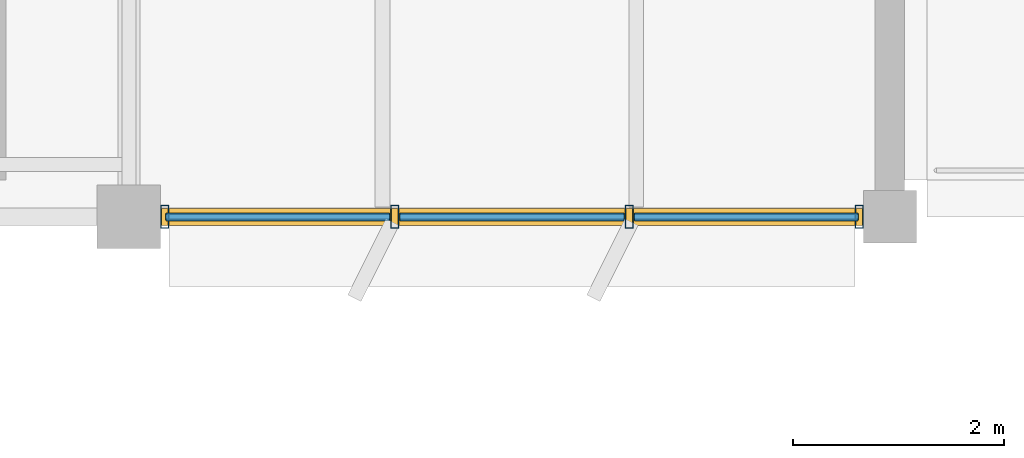
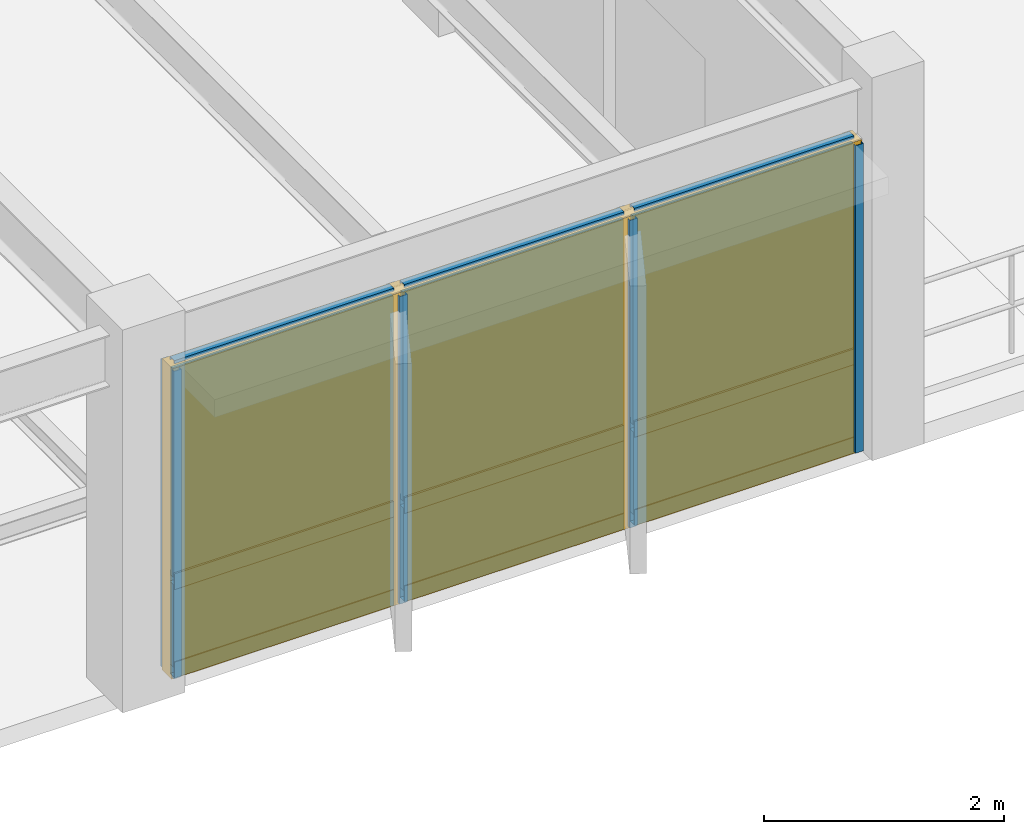
# One storey, part 21 of 35: 13 members, 6 plates, 1 curtain wall.
"""IFC4 building model written with IfcOpenShell, lengths in metres."""

from ifc_helpers import new_model, si_unit, direction, frame, origin, origin_2d, place, context, subcontext, project, spatial, rectangle, hollow_rectangle, extrude, material, layer, layer_set, material_profile, profile_set, type_object, element, aggregate, save


model = new_model("IFC4")

# Units and contexts
model_context = context("Model", 3, precision=1e-05, world=origin(), true_north=direction((0.0, 1.0)))
body_context = subcontext(model_context, "Body", "Model", "MODEL_VIEW")
ifc_project = project(units=[si_unit("LENGTHUNIT", "METRE"), si_unit("AREAUNIT", "SQUARE_METRE"), si_unit("VOLUMEUNIT", "CUBIC_METRE"), si_unit("PLANEANGLEUNIT", "RADIAN"), si_unit("MASSUNIT", "GRAM", prefix="KILO")], contexts=[model_context])

# Member
ifc_material_1 = material(Name="Anodized Aluminium 6063-T6", Category="aluminium")
ifc_material_profile_1 = material_profile(ifc_material_1, hollow_rectangle(XDim=0.074951171875, YDim=0.219970703125, WallThickness=0.0048828125, at=origin_2d()), Name="ALU 75x220x5")
ifc_profile_set_1 = profile_set([ifc_material_profile_1], Name="Anodized Aluminium 6063-T6")
member_type_1 = type_object("IfcMemberType", Name="CWM-75X180", PredefinedType="MULLION", material=ifc_profile_set_1)
site_placement = place(None, origin())
building_placement = place(site_placement, origin())
storey_placement = place(building_placement, frame((0.0, 0.0, 18.0)))
member_1_placement = place(storey_placement, frame((100.510009765625, 79.199951171875, 0.02001953125), z_axis=(0.0, 0.0, 1.0), x_axis=(1.0, 0.0, 0.0)))
member_1 = element("IfcMember", 1, at=member_1_placement, type_object=member_type_1, Name="Curtain wall mullion CW-L05-13-11-S-00", PredefinedType="MULLION", context=body_context, shape_type="SweptSolid", body=[
    extrude(hollow_rectangle(XDim=0.074951171875, YDim=0.219970703125, WallThickness=0.0048828125, at=origin_2d()), origin(), (0.0, 0.0, 1.0), 3.132080078125),
])

member_2_placement = place(storey_placement, frame((98.333251953125, 79.199951171875, 0.02001953125), z_axis=(0.0, 0.0, 1.0), x_axis=(1.0, 0.0, 0.0)))
member_2 = element("IfcMember", 2, at=member_2_placement, type_object=member_type_1, Name="Curtain wall mullion CW-L05-13-11-S-01", PredefinedType="MULLION", context=body_context, shape_type="SweptSolid", body=[
    extrude(hollow_rectangle(XDim=0.074951171875, YDim=0.219970703125, WallThickness=0.0048828125, at=origin_2d()), origin(), (0.0, 0.0, 1.0), 3.132080078125),
])

member_3_placement = place(storey_placement, frame((96.11669921875, 79.199951171875, 0.02001953125), z_axis=(0.0, 0.0, 1.0), x_axis=(1.0, 0.0, 0.0)))
member_3 = element("IfcMember", 3, at=member_3_placement, type_object=member_type_1, Name="Curtain wall mullion CW-L05-13-11-S-02", PredefinedType="MULLION", context=body_context, shape_type="SweptSolid", body=[
    extrude(hollow_rectangle(XDim=0.074951171875, YDim=0.219970703125, WallThickness=0.0048828125, at=origin_2d()), origin(), (0.0, 0.0, 1.0), 3.132080078125),
])

member_4_placement = place(storey_placement, frame((93.93994140625, 79.199951171875, 0.02001953125), z_axis=(0.0, 0.0, 1.0), x_axis=(1.0, 0.0, 0.0)))
member_4 = element("IfcMember", 4, at=member_4_placement, type_object=member_type_1, Name="Curtain wall mullion CW-L05-13-11-S-03", PredefinedType="MULLION", context=body_context, shape_type="SweptSolid", body=[
    extrude(hollow_rectangle(XDim=0.074951171875, YDim=0.219970703125, WallThickness=0.0048828125, at=origin_2d()), origin(), (0.0, 0.0, 1.0), 3.132080078125),
])

ifc_material_profile_2 = material_profile(ifc_material_1, hollow_rectangle(XDim=0.074951171875, YDim=0.159912109375, WallThickness=0.00390625, at=origin_2d()), Name="ALU 75x160x4")
ifc_profile_set_2 = profile_set([ifc_material_profile_2], Name="Anodized Aluminium 6063-T6")
member_type_2 = type_object("IfcMemberType", Name="CWT-75X150", PredefinedType="USERDEFINED", material=ifc_profile_set_2)
member_5_placement = place(storey_placement, frame((100.5, 79.199951171875, 0.050048828125), z_axis=(-1.0, 0.0, 0.0), x_axis=(0.0, -1.0, 0.0)))
member_5 = element("IfcMember", 5, at=member_5_placement, type_object=member_type_2, Name="Curtain wall transom CW-L05-13-11-S-1.01", ObjectType="TRANSOM", PredefinedType="USERDEFINED", context=body_context, shape_type="SweptSolid", body=[
    extrude(hollow_rectangle(XDim=0.074951171875, YDim=0.159912109375, WallThickness=0.00390625, at=origin_2d()), origin(), (0.0, 0.0, 1.0), 2.11669921875),
])

member_6_placement = place(storey_placement, frame((98.283203125, 79.199951171875, 0.050048828125), z_axis=(-1.0, 0.0, 0.0), x_axis=(0.0, -1.0, 0.0)))
member_6 = element("IfcMember", 6, at=member_6_placement, type_object=member_type_2, Name="Curtain wall transom CW-L05-13-11-S-1.02", ObjectType="TRANSOM", PredefinedType="USERDEFINED", context=body_context, shape_type="SweptSolid", body=[
    extrude(hollow_rectangle(XDim=0.074951171875, YDim=0.159912109375, WallThickness=0.00390625, at=origin_2d()), origin(), (0.0, 0.0, 1.0), 2.116455078125),
])

member_7_placement = place(storey_placement, frame((96.066650390625, 79.199951171875, 0.050048828125), z_axis=(-1.0, 0.0, 0.0), x_axis=(0.0, -1.0, 0.0)))
member_7 = element("IfcMember", 7, at=member_7_placement, type_object=member_type_2, Name="Curtain wall transom CW-L05-13-11-S-1.03", ObjectType="TRANSOM", PredefinedType="USERDEFINED", context=body_context, shape_type="SweptSolid", body=[
    extrude(hollow_rectangle(XDim=0.074951171875, YDim=0.159912109375, WallThickness=0.00390625, at=origin_2d()), origin(), (0.0, 0.0, 1.0), 2.11669921875),
])

member_8_placement = place(storey_placement, frame((100.5, 79.199951171875, 0.949951171875), z_axis=(-1.0, 0.0, 0.0), x_axis=(0.0, -1.0, 0.0)))
member_8 = element("IfcMember", 8, at=member_8_placement, type_object=member_type_2, Name="Curtain wall transom CW-L05-13-11-S-2.01", ObjectType="TRANSOM", PredefinedType="USERDEFINED", context=body_context, shape_type="SweptSolid", body=[
    extrude(hollow_rectangle(XDim=0.074951171875, YDim=0.159912109375, WallThickness=0.00390625, at=origin_2d()), origin(), (0.0, 0.0, 1.0), 2.11669921875),
])

member_9_placement = place(storey_placement, frame((98.283203125, 79.199951171875, 0.949951171875), z_axis=(-1.0, 0.0, 0.0), x_axis=(0.0, -1.0, 0.0)))
member_9 = element("IfcMember", 9, at=member_9_placement, type_object=member_type_2, Name="Curtain wall transom CW-L05-13-11-S-2.02", ObjectType="TRANSOM", PredefinedType="USERDEFINED", context=body_context, shape_type="SweptSolid", body=[
    extrude(hollow_rectangle(XDim=0.074951171875, YDim=0.159912109375, WallThickness=0.00390625, at=origin_2d()), origin(), (0.0, 0.0, 1.0), 2.116455078125),
])

member_10_placement = place(storey_placement, frame((96.066650390625, 79.199951171875, 0.949951171875), z_axis=(-1.0, 0.0, 0.0), x_axis=(0.0, -1.0, 0.0)))
member_10 = element("IfcMember", 10, at=member_10_placement, type_object=member_type_2, Name="Curtain wall transom CW-L05-13-11-S-2.03", ObjectType="TRANSOM", PredefinedType="USERDEFINED", context=body_context, shape_type="SweptSolid", body=[
    extrude(hollow_rectangle(XDim=0.074951171875, YDim=0.159912109375, WallThickness=0.00390625, at=origin_2d()), origin(), (0.0, 0.0, 1.0), 2.11669921875),
])

member_11_placement = place(storey_placement, frame((100.5, 79.199951171875, 3.1220703125), z_axis=(-1.0, 0.0, 0.0), x_axis=(0.0, -1.0, 0.0)))
member_11 = element("IfcMember", 11, at=member_11_placement, type_object=member_type_2, Name="Curtain wall transom CW-L05-13-11-S-3.01", ObjectType="TRANSOM", PredefinedType="USERDEFINED", context=body_context, shape_type="SweptSolid", body=[
    extrude(hollow_rectangle(XDim=0.074951171875, YDim=0.159912109375, WallThickness=0.00390625, at=origin_2d()), origin(), (0.0, 0.0, 1.0), 2.11669921875),
])

member_12_placement = place(storey_placement, frame((98.283203125, 79.199951171875, 3.1220703125), z_axis=(-1.0, 0.0, 0.0), x_axis=(0.0, -1.0, 0.0)))
member_12 = element("IfcMember", 12, at=member_12_placement, type_object=member_type_2, Name="Curtain wall transom CW-L05-13-11-S-3.02", ObjectType="TRANSOM", PredefinedType="USERDEFINED", context=body_context, shape_type="SweptSolid", body=[
    extrude(hollow_rectangle(XDim=0.074951171875, YDim=0.159912109375, WallThickness=0.00390625, at=origin_2d()), origin(), (0.0, 0.0, 1.0), 2.116455078125),
])

member_13_placement = place(storey_placement, frame((96.066650390625, 79.199951171875, 3.1220703125), z_axis=(-1.0, 0.0, 0.0), x_axis=(0.0, -1.0, 0.0)))
member_13 = element("IfcMember", 13, at=member_13_placement, type_object=member_type_2, Name="Curtain wall transom CW-L05-13-11-S-3.03", ObjectType="TRANSOM", PredefinedType="USERDEFINED", context=body_context, shape_type="SweptSolid", body=[
    extrude(hollow_rectangle(XDim=0.074951171875, YDim=0.159912109375, WallThickness=0.00390625, at=origin_2d()), origin(), (0.0, 0.0, 1.0), 2.11669921875),
])

# Plate
ifc_material_2 = material(Name="Acoustic Laminated Low-E Glazing", Category="glass")
ifc_layer_1 = layer(ifc_material_2, 0.0439453125)
ifc_layer_set_1 = layer_set([ifc_layer_1], Name="Acoustic Laminated Low-E Glazing")
plate_type_1 = type_object("IfcPlateType", Name="CWP-IGU-44", PredefinedType="CURTAIN_PANEL", material=ifc_layer_set_1)
plate_1_placement = place(storey_placement, frame((99.441650390625, 79.199951171875, 0.989990234375), z_axis=(0.0, 0.0, 1.0), x_axis=(-1.0, 0.0, 0.0)))
plate_1 = element("IfcPlate", 14, at=plate_1_placement, type_object=plate_type_1, Name="Curtain wall vision glazing CW-L05-13-11-S-01", PredefinedType="CURTAIN_PANEL", context=body_context, shape_type="SweptSolid", body=[
    extrude(rectangle(XDim=2.126708984375, YDim=0.0400390625, at=origin_2d()), origin(), (0.0, 0.0, 1.0), 2.1220703125),
])

plate_2_placement = place(storey_placement, frame((97.22509765625, 79.199951171875, 0.989990234375), z_axis=(0.0, 0.0, 1.0), x_axis=(-1.0, 0.0, 0.0)))
plate_2 = element("IfcPlate", 15, at=plate_2_placement, type_object=plate_type_1, Name="Curtain wall vision glazing CW-L05-13-11-S-02", PredefinedType="CURTAIN_PANEL", context=body_context, shape_type="SweptSolid", body=[
    extrude(rectangle(XDim=2.126708984375, YDim=0.0400390625, at=origin_2d()), origin(), (0.0, 0.0, 1.0), 2.1220703125),
])

plate_3_placement = place(storey_placement, frame((95.00830078125, 79.199951171875, 0.989990234375), z_axis=(0.0, 0.0, 1.0), x_axis=(-1.0, 0.0, 0.0)))
plate_3 = element("IfcPlate", 16, at=plate_3_placement, type_object=plate_type_1, Name="Curtain wall vision glazing CW-L05-13-11-S-03", PredefinedType="CURTAIN_PANEL", context=body_context, shape_type="SweptSolid", body=[
    extrude(rectangle(XDim=2.126708984375, YDim=0.0400390625, at=origin_2d()), origin(), (0.0, 0.0, 1.0), 2.1220703125),
])

ifc_material_3 = material(Name="Insulated Stone-Composite Spandrel", Category="masonry")
ifc_layer_2 = layer(ifc_material_3, 0.068115234375)
ifc_layer_set_2 = layer_set([ifc_layer_2], Name="Insulated Stone-Composite Spandrel")
plate_type_2 = type_object("IfcPlateType", Name="CWP-SPN-68", PredefinedType="CURTAIN_PANEL", material=ifc_layer_set_2)
plate_4_placement = place(storey_placement, frame((99.441650390625, 79.199951171875, 0.080078125), z_axis=(0.0, 0.0, 1.0), x_axis=(-1.0, 0.0, 0.0)))
plate_4 = element("IfcPlate", 17, at=plate_4_placement, type_object=plate_type_2, Name="Curtain wall spandrel panel CW-L05-13-11-S-01", PredefinedType="CURTAIN_PANEL", context=body_context, shape_type="SweptSolid", body=[
    extrude(rectangle(XDim=2.126708984375, YDim=0.06005859375, at=origin_2d()), origin(), (0.0, 0.0, 1.0), 0.840087890625),
])

plate_5_placement = place(storey_placement, frame((97.22509765625, 79.199951171875, 0.080078125), z_axis=(0.0, 0.0, 1.0), x_axis=(-1.0, 0.0, 0.0)))
plate_5 = element("IfcPlate", 18, at=plate_5_placement, type_object=plate_type_2, Name="Curtain wall spandrel panel CW-L05-13-11-S-02", PredefinedType="CURTAIN_PANEL", context=body_context, shape_type="SweptSolid", body=[
    extrude(rectangle(XDim=2.126708984375, YDim=0.06005859375, at=origin_2d()), origin(), (0.0, 0.0, 1.0), 0.840087890625),
])

plate_6_placement = place(storey_placement, frame((95.00830078125, 79.199951171875, 0.080078125), z_axis=(0.0, 0.0, 1.0), x_axis=(-1.0, 0.0, 0.0)))
plate_6 = element("IfcPlate", 19, at=plate_6_placement, type_object=plate_type_2, Name="Curtain wall spandrel panel CW-L05-13-11-S-03", PredefinedType="CURTAIN_PANEL", context=body_context, shape_type="SweptSolid", body=[
    extrude(rectangle(XDim=2.126708984375, YDim=0.06005859375, at=origin_2d()), origin(), (0.0, 0.0, 1.0), 0.840087890625),
])

# Site, building, storey
site = spatial("IfcSite", under=ifc_project, at=site_placement, CompositionType="ELEMENT")
building = spatial("IfcBuilding", under=site, at=building_placement, Name="Sillqori Civic Hall", CompositionType="ELEMENT")
storey = spatial("IfcBuildingStorey", under=building, at=storey_placement, Name="L05", CompositionType="ELEMENT", Elevation=18.0)

# Curtain wall
ifc_material_4 = material(Name="Anodized Aluminium Curtain Wall System", Category="aluminium")
curtain_wall_type = type_object("IfcCurtainWallType", Name="CW-AD-370", PredefinedType="NOTDEFINED", material=ifc_material_4)
curtain_wall_placement = place(storey_placement, frame((97.22509765625, 79.199951171875, 0.0), z_axis=(0.0, 0.0, 1.0), x_axis=(-1.0, 0.0, 0.0)))
curtain_wall = element("IfcCurtainWall", 20, at=curtain_wall_placement, inside=storey, type_object=curtain_wall_type, Name="L05 unitised curtain wall CW-L05-13-11-S", PredefinedType="NOTDEFINED", context=body_context, shape_type="SweptSolid", body=[
    extrude(rectangle(XDim=6.64990234375, YDim=0.159912109375, at=origin_2d()), origin(), (0.0, 0.0, 1.0), 3.172119140625),
])

aggregate(curtain_wall, [member_1, member_2, member_3, member_4, member_5, member_6, member_7, member_8, member_9, member_10, member_11, member_12, member_13, plate_4, plate_1, plate_5, plate_2, plate_6, plate_3])

save(model, "model.ifc")
